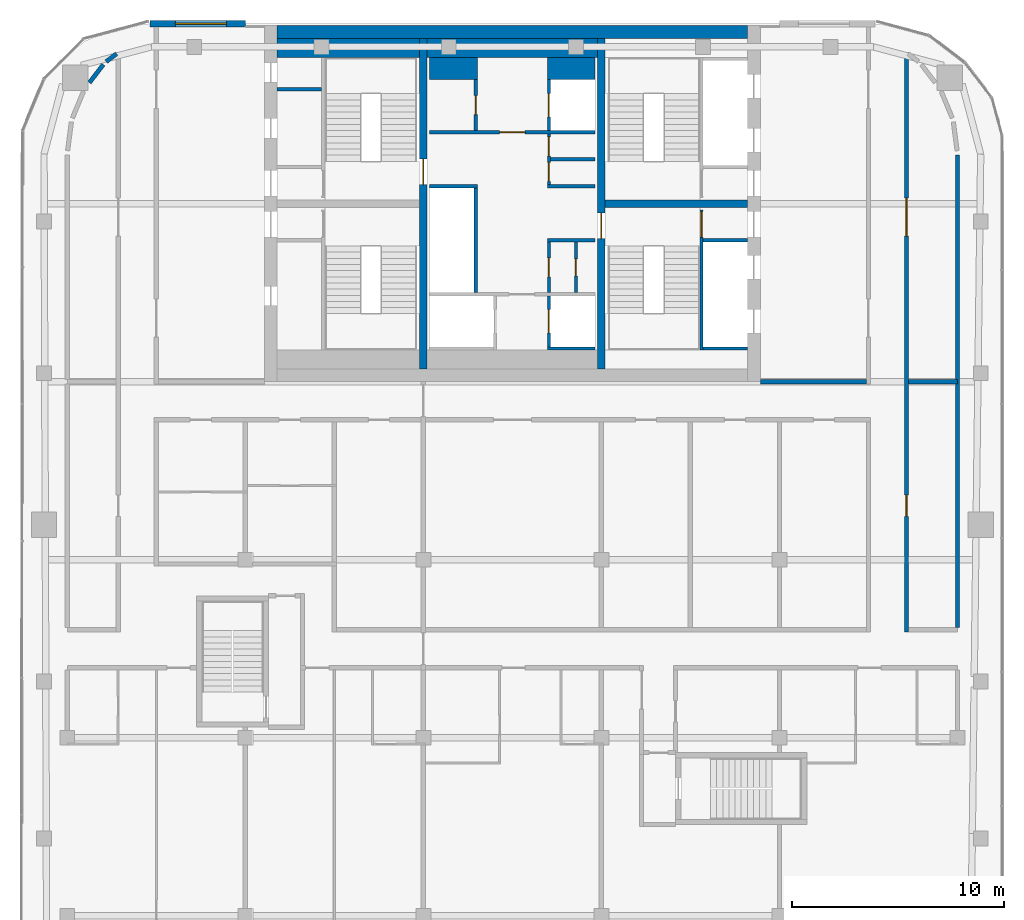
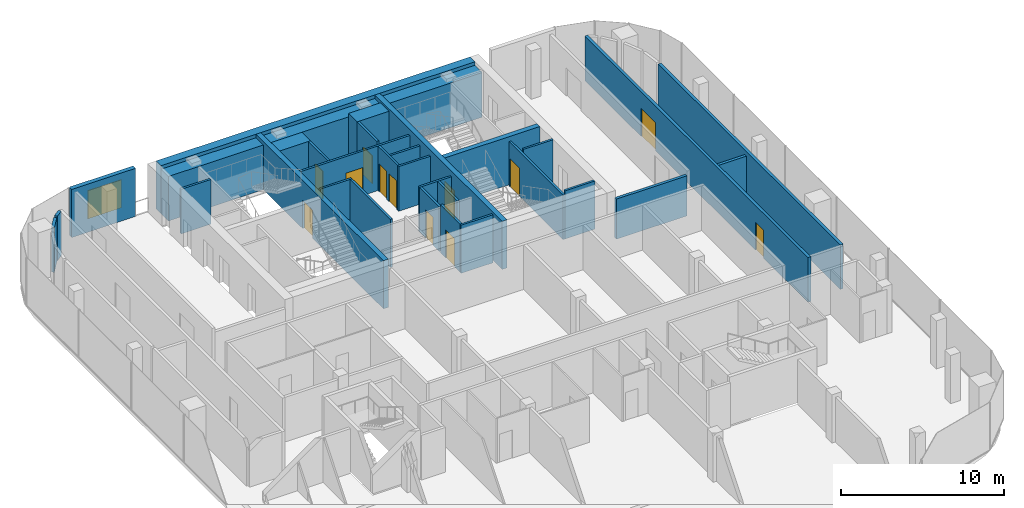
# One storey, part 16 of 19: 31 walls, 13 doors, 1 window, 14 openings.
"""IFC4 building model written with IfcOpenShell, lengths in metres."""

from ifc_helpers import new_model, si_unit, direction, frame, frame_2d, origin, place, context, subcontext, project, spatial, rectangle, extrude, material, layer, layer_set, type_object, element, fill, save


model = new_model("IFC4")

# Units and contexts
model_context = context("Model", 3, precision=1e-05, world=origin(), true_north=direction((0.0, 1.0)))
body_context = subcontext(model_context, "Body", "Model", "MODEL_VIEW")
ifc_project = project(units=[si_unit("LENGTHUNIT", "METRE"), si_unit("AREAUNIT", "SQUARE_METRE"), si_unit("VOLUMEUNIT", "CUBIC_METRE"), si_unit("PLANEANGLEUNIT", "RADIAN"), si_unit("MASSUNIT", "GRAM", prefix="KILO")], contexts=[model_context])

# Site, building, storey
site_placement = place(None, origin())
site = spatial("IfcSite", under=ifc_project, at=site_placement, CompositionType="ELEMENT")
building_placement = place(site_placement, origin())
building = spatial("IfcBuilding", under=site, at=building_placement, Name="Marenta Gate Hotel Tower", CompositionType="ELEMENT")
storey_placement = place(building_placement, frame((0.0, 0.0, 274.10009765625)))
storey = spatial("IfcBuildingStorey", under=building, at=storey_placement, Name="L63", CompositionType="ELEMENT", Elevation=274.10009765625)

# Wall, opening, window
ifc_material_1 = material(Name="Concrete C40 board-marked", Category="concrete")
ifc_layer_1 = layer(ifc_material_1, 0.300048828125)
ifc_layer_set_1 = layer_set([ifc_layer_1], Name="Concrete C40 board-marked")
wall_type_1 = type_object("IfcWallType", Name="Board-marked concrete wall 300 mm", PredefinedType="NOTDEFINED", material=ifc_layer_set_1)
wall_1_placement = place(storey_placement, frame((-12.60009765625, 16.889892578125, 0.0), z_axis=(0.0, 0.0, 1.0), x_axis=(-1.0, 0.0, 0.0)))
wall_1 = element("IfcWall", 1, at=wall_1_placement, inside=storey, type_object=wall_type_1, Name="L63-CLD-N01", PredefinedType="NOTDEFINED", context=body_context, shape_type="SweptSolid", body=[
    extrude(rectangle(XDim=4.505859375, YDim=0.300048828125, at=frame_2d((2.2529296875, 0.0))), origin(), (0.0, 0.0, 1.0), 3.599853515625),
])
opening_1_placement = place(wall_1_placement, frame((0.89990234375, 0.0, 0.89990234375)))
opening_1 = element("IfcOpeningElement", 2, at=opening_1_placement, cuts=wall_1, Name="Opening W1", PredefinedType="OPENING", context=body_context, shape_type="SweptSolid", body=[
    extrude(rectangle(XDim=2.39990234375, YDim=2.10009765625, at=frame_2d((1.199951171875, 1.050048828125))), frame((0.0, 0.14990234375, 0.0), z_axis=(0.0, -1.0, 0.0), x_axis=(1.0, 0.0, 0.0)), (0.0, 0.0, 1.0), 0.300048828125),
])
ifc_material_2 = material(Name="Tinted insulated glass in bronze anodised frame", Category="glass")
window_type = type_object("IfcWindowType", Name="Window W1 2400x2100 bronze frame", PartitioningType="SINGLE_PANEL", PredefinedType="WINDOW", material=ifc_material_2)
window_placement = place(opening_1_placement, origin())
window = element("IfcWindow", 3, at=window_placement, inside=storey, type_object=window_type, Name="Window W1", OverallHeight=2.10009765625, OverallWidth=2.39990234375, PartitioningType="SINGLE_PANEL", PredefinedType="WINDOW", context=body_context, shape_type="SweptSolid", body=[
    extrude(rectangle(XDim=2.39990234375, YDim=2.10009765625, at=frame_2d((1.199951171875, 1.050048828125))), frame((0.0, 0.030029296875, 0.0), z_axis=(0.0, -1.0, 0.0), x_axis=(1.0, 0.0, 0.0)), (0.0, 0.0, 1.0), 0.06005859375),
])
fill(opening_1, window)

# Walls
ifc_material_3 = material(Name="Concrete blockwork", Category="masonry")
ifc_layer_2 = layer(ifc_material_3, 0.199951171875)
ifc_layer_set_2 = layer_set([ifc_layer_2], Name="Concrete blockwork")
wall_type_2 = type_object("IfcWallType", Name="Core boundary wall 200 REI 180", PredefinedType="PARTITIONING", material=ifc_layer_set_2)
wall_2_placement = place(storey_placement, frame((11.699951171875, 0.0, 0.0), z_axis=(0.0, 0.0, 1.0), x_axis=(1.0, 0.0, 0.0)))
element("IfcWall", 4, at=wall_2_placement, inside=storey, type_object=wall_type_2, Name="L63-CP-EW-ES", PredefinedType="PARTITIONING", context=body_context, shape_type="SweptSolid", body=[
    extrude(rectangle(XDim=5.0, YDim=0.199951171875, at=frame_2d((2.5, 0.0))), origin(), (0.0, 0.0, 1.0), 3.0),
])
ifc_material_4 = material(Name="Concrete C40", Category="concrete")
ifc_layer_3 = layer(ifc_material_4, 0.89990234375)
ifc_layer_set_3 = layer_set([ifc_layer_3], Name="Concrete C40")
wall_type_3 = type_object("IfcWallType", Name="Core lining wall 900 REI 180", PredefinedType="PARTITIONING", material=ifc_layer_set_3)
wall_3_placement = place(storey_placement, frame((-11.10009765625, 15.75, 0.0), z_axis=(0.0, 0.0, 1.0), x_axis=(1.0, 0.0, 0.0)))
element("IfcWall", 5, at=wall_3_placement, inside=storey, type_object=wall_type_3, Name="L63-CP-LN-N", PredefinedType="PARTITIONING", context=body_context, shape_type="SweptSolid", body=[
    extrude(rectangle(XDim=22.2001953125, YDim=0.89990234375, at=frame_2d((11.10009765625, 0.0))), origin(), (0.0, 0.0, 1.0), 3.33984375),
])

# Wall, opening, door
ifc_material_5 = material(Name="Concrete blockwork", Category="masonry")
ifc_layer_4 = layer(ifc_material_5, 0.14990234375)
ifc_layer_set_4 = layer_set([ifc_layer_4], Name="Concrete blockwork")
wall_type_4 = type_object("IfcWallType", Name="Core lobby partition 150 REI 180", PredefinedType="PARTITIONING", material=ifc_layer_set_4)
wall_4_placement = place(storey_placement, frame((-3.89990234375, 11.77490234375, 0.0), z_axis=(0.0, 0.0, 1.0), x_axis=(1.0, 0.0, 0.0)))
wall_4 = element("IfcWall", 6, at=wall_4_placement, inside=storey, type_object=wall_type_4, Name="L63-CP-CW-N", PredefinedType="PARTITIONING", context=body_context, shape_type="SweptSolid", body=[
    extrude(rectangle(XDim=7.7998046875, YDim=0.14990234375, at=frame_2d((3.89990234375, 0.0))), origin(), (0.0, 0.0, 1.0), 3.33984375),
])
opening_2_placement = place(wall_4_placement, frame((3.300048828125, 0.0, 0.0)))
opening_2 = element("IfcOpeningElement", 7, at=opening_2_placement, cuts=wall_4, Name="Opening FD-FFN", PredefinedType="OPENING", context=body_context, shape_type="SweptSolid", body=[
    extrude(rectangle(XDim=1.199951171875, YDim=2.10009765625, at=frame_2d((0.60009765625, 1.050048828125))), frame((0.0, 0.074951171875, 0.0), z_axis=(0.0, -1.0, 0.0), x_axis=(1.0, 0.0, 0.0)), (0.0, 0.0, 1.0), 0.14990234375),
])
ifc_material_6 = material(Name="Steel", Category="steel")
door_type_1 = type_object("IfcDoorType", Name="Core lobby door 1200x2100 FD60", OperationType="SINGLE_SWING_LEFT", PredefinedType="DOOR", material=ifc_material_6)
door_1_placement = place(opening_2_placement, origin())
door_1 = element("IfcDoor", 8, at=door_1_placement, inside=storey, type_object=door_type_1, Name="FD-FFN", OperationType="SINGLE_SWING_LEFT", OverallHeight=2.10009765625, OverallWidth=1.199951171875, PredefinedType="DOOR", context=body_context, shape_type="SweptSolid", body=[
    extrude(rectangle(XDim=1.199951171875, YDim=2.10009765625, at=frame_2d((0.60009765625, 1.050048828125))), frame((0.0, 0.02490234375, 0.0), z_axis=(0.0, -1.0, 0.0), x_axis=(1.0, 0.0, 0.0)), (0.0, 0.0, 1.0), 0.050048828125),
])
fill(opening_2, door_1)

# Walls
ifc_material_7 = material(Name="Concrete blockwork", Category="masonry")
ifc_layer_5 = layer(ifc_material_7, 1.050048828125)
ifc_layer_set_5 = layer_set([ifc_layer_5], Name="Concrete blockwork")
wall_type_5 = type_object("IfcWallType", Name="Core room partition 1050 REI 180", PredefinedType="PARTITIONING", material=ifc_layer_set_5)
wall_5_placement = place(storey_placement, frame((-3.89990234375, 14.77490234375, 0.0), z_axis=(0.0, 0.0, 1.0), x_axis=(1.0, 0.0, 0.0)))
element("IfcWall", 9, at=wall_5_placement, inside=storey, type_object=wall_type_5, Name="L63-CP-CW-W-riser-N", PredefinedType="PARTITIONING", context=body_context, shape_type="SweptSolid", body=[
    extrude(rectangle(XDim=2.25, YDim=1.050048828125, at=frame_2d((1.125, 0.0))), origin(), (0.0, 0.0, 1.0), 3.33984375),
])
ifc_material_8 = material(Name="Concrete blockwork", Category="masonry")
ifc_layer_6 = layer(ifc_material_8, 0.14990234375)
ifc_layer_set_6 = layer_set([ifc_layer_6], Name="Concrete blockwork")
wall_type_6 = type_object("IfcWallType", Name="Core room partition 150 REI 180", PredefinedType="PARTITIONING", material=ifc_layer_set_6)
wall_6_placement = place(storey_placement, frame((-11.10009765625, 13.800048828125, 0.0), z_axis=(0.0, 0.0, 1.0), x_axis=(1.0, 0.0, 0.0)))
element("IfcWall", 10, at=wall_6_placement, inside=storey, type_object=wall_type_6, Name="L63-CP-RW-WN-1", PredefinedType="PARTITIONING", context=body_context, shape_type="SweptSolid", body=[
    extrude(rectangle(XDim=2.10009765625, YDim=0.14990234375, at=frame_2d((1.050048828125, 0.0))), origin(), (0.0, 0.0, 1.0), 3.33984375),
])

# Wall, opening, door
wall_7_placement = place(storey_placement, frame((-1.72509765625, 11.85009765625, 0.0), z_axis=(0.0, 0.0, 1.0), x_axis=(0.0, 1.0, 0.0)))
wall_7 = element("IfcWall", 11, at=wall_7_placement, inside=storey, type_object=wall_type_6, Name="L63-CP-CW-W-riser-front", PredefinedType="PARTITIONING", context=body_context, shape_type="SweptSolid", body=[
    extrude(rectangle(XDim=2.39990234375, YDim=0.14990234375, at=frame_2d((1.199951171875, 0.0))), origin(), (0.0, 0.0, 1.0), 3.33984375),
])
opening_3_placement = place(wall_7_placement, frame((0.75, 0.0, 0.0)))
opening_3 = element("IfcOpeningElement", 12, at=opening_3_placement, cuts=wall_7, Name="Opening RD-CRISER", PredefinedType="OPENING", context=body_context, shape_type="SweptSolid", body=[
    extrude(rectangle(XDim=0.89990234375, YDim=2.10009765625, at=frame_2d((0.449951171875, 1.050048828125))), frame((0.0, 0.074951171875, 0.0), z_axis=(0.0, -1.0, 0.0), x_axis=(1.0, 0.0, 0.0)), (0.0, 0.0, 1.0), 0.14990234375),
])
ifc_material_9 = material(Name="Steel", Category="steel")
door_type_2 = type_object("IfcDoorType", Name="Core riser door 900x2100 FD60", OperationType="SINGLE_SWING_LEFT", PredefinedType="DOOR", material=ifc_material_9)
door_2_placement = place(opening_3_placement, origin())
door_2 = element("IfcDoor", 13, at=door_2_placement, inside=storey, type_object=door_type_2, Name="RD-CRISER", OperationType="SINGLE_SWING_LEFT", OverallHeight=2.10009765625, OverallWidth=0.89990234375, PredefinedType="DOOR", context=body_context, shape_type="SweptSolid", body=[
    extrude(rectangle(XDim=0.89990234375, YDim=2.10009765625, at=frame_2d((0.449951171875, 1.050048828125))), frame((0.0, 0.02490234375, 0.0), z_axis=(0.0, -1.0, 0.0), x_axis=(1.0, 0.0, 0.0)), (0.0, 0.0, 1.0), 0.050048828125),
])
fill(opening_3, door_2)

# Walls
for number, where, z_axis, x_axis, name in (
    (14, (1.64990234375, 6.675048828125, 0.0), (0.0, 0.0, 1.0), (1.0, 0.0, 0.0), "L63-CP-CE-sep1"),
    (15, (1.64990234375, 9.22509765625, 0.0), (0.0, 0.0, 1.0), (1.0, 0.0, 0.0), "L63-CP-CE-sep2"),
):
    element("IfcWall", number, at=place(storey_placement, frame(where, z_axis=z_axis, x_axis=x_axis)), inside=storey, type_object=wall_type_6, Name=name, PredefinedType="PARTITIONING", context=body_context, shape_type="SweptSolid", body=[
        extrude(rectangle(XDim=2.25, YDim=0.14990234375, at=frame_2d((1.125, 0.0))), origin(), (0.0, 0.0, 1.0), 3.33984375),
    ])

# Wall, opening, door
wall_8_placement = place(storey_placement, frame((1.72509765625, 4.199951171875, 0.0), z_axis=(0.0, 0.0, 1.0), x_axis=(0.0, 1.0, 0.0)))
wall_8 = element("IfcWall", 16, at=wall_8_placement, inside=storey, type_object=wall_type_6, Name="L63-CP-CE-front-1", PredefinedType="PARTITIONING", context=body_context, shape_type="SweptSolid", body=[
    extrude(rectangle(XDim=2.400146484375, YDim=0.14990234375, at=frame_2d((1.2001953125, 0.0))), origin(), (0.0, 0.0, 1.0), 3.33984375),
])
opening_4_placement = place(wall_8_placement, frame((0.75, 0.0, 0.0)))
opening_4 = element("IfcOpeningElement", 17, at=opening_4_placement, cuts=wall_8, Name="Opening RD-CE-1a", PredefinedType="OPENING", context=body_context, shape_type="SweptSolid", body=[
    extrude(rectangle(XDim=0.89990234375, YDim=2.10009765625, at=frame_2d((0.449951171875, 1.050048828125))), frame((0.0, 0.074951171875, 0.0), z_axis=(0.0, -1.0, 0.0), x_axis=(1.0, 0.0, 0.0)), (0.0, 0.0, 1.0), 0.14990234375),
])
ifc_material_10 = material(Name="Steel", Category="steel")
door_type_3 = type_object("IfcDoorType", Name="Core service room door 900x2100 FD30S", OperationType="SINGLE_SWING_LEFT", PredefinedType="DOOR", material=ifc_material_10)
door_3_placement = place(opening_4_placement, origin())
door_3 = element("IfcDoor", 18, at=door_3_placement, inside=storey, type_object=door_type_3, Name="RD-CE-1a", OperationType="SINGLE_SWING_LEFT", OverallHeight=2.10009765625, OverallWidth=0.89990234375, PredefinedType="DOOR", context=body_context, shape_type="SweptSolid", body=[
    extrude(rectangle(XDim=0.89990234375, YDim=2.10009765625, at=frame_2d((0.449951171875, 1.050048828125))), frame((0.0, 0.02490234375, 0.0), z_axis=(0.0, -1.0, 0.0), x_axis=(1.0, 0.0, 0.0)), (0.0, 0.0, 1.0), 0.050048828125),
])
fill(opening_4, door_3)

# Wall, openings, doors
wall_9_placement = place(storey_placement, frame((1.72509765625, 9.300048828125, 0.0), z_axis=(0.0, 0.0, 1.0), x_axis=(0.0, 1.0, 0.0)))
wall_9 = element("IfcWall", 19, at=wall_9_placement, inside=storey, type_object=wall_type_6, Name="L63-CP-CE-front-2", PredefinedType="PARTITIONING", context=body_context, shape_type="SweptSolid", body=[
    extrude(rectangle(XDim=2.39990234375, YDim=0.14990234375, at=frame_2d((1.199951171875, 0.0))), origin(), (0.0, 0.0, 1.0), 3.33984375),
])
opening_5_placement = place(wall_9_placement, frame((0.14990234375, 0.0, 0.0)))
opening_5 = element("IfcOpeningElement", 20, at=opening_5_placement, cuts=wall_9, Name="Opening RD-CE-2a", PredefinedType="OPENING", context=body_context, shape_type="SweptSolid", body=[
    extrude(rectangle(XDim=0.89990234375, YDim=2.10009765625, at=frame_2d((0.449951171875, 1.050048828125))), frame((0.0, 0.074951171875, 0.0), z_axis=(0.0, -1.0, 0.0), x_axis=(1.0, 0.0, 0.0)), (0.0, 0.0, 1.0), 0.14990234375),
])
opening_6_placement = place(wall_9_placement, frame((1.35009765625, 0.0, 0.0)))
opening_6 = element("IfcOpeningElement", 21, at=opening_6_placement, cuts=wall_9, Name="Opening RD-CE-2b-B", PredefinedType="OPENING", context=body_context, shape_type="SweptSolid", body=[
    extrude(rectangle(XDim=0.89990234375, YDim=2.10009765625, at=frame_2d((0.449951171875, 1.050048828125))), frame((0.0, 0.074951171875, 0.0), z_axis=(0.0, -1.0, 0.0), x_axis=(1.0, 0.0, 0.0)), (0.0, 0.0, 1.0), 0.14990234375),
])
door_4_placement = place(opening_5_placement, origin())
door_4 = element("IfcDoor", 22, at=door_4_placement, inside=storey, type_object=door_type_3, Name="RD-CE-2a", OperationType="SINGLE_SWING_LEFT", OverallHeight=2.10009765625, OverallWidth=0.89990234375, PredefinedType="DOOR", context=body_context, shape_type="SweptSolid", body=[
    extrude(rectangle(XDim=0.89990234375, YDim=2.10009765625, at=frame_2d((0.449951171875, 1.050048828125))), frame((0.0, 0.02490234375, 0.0), z_axis=(0.0, -1.0, 0.0), x_axis=(1.0, 0.0, 0.0)), (0.0, 0.0, 1.0), 0.050048828125),
])
fill(opening_5, door_4)
door_5_placement = place(opening_6_placement, origin())
door_5 = element("IfcDoor", 23, at=door_5_placement, inside=storey, type_object=door_type_3, Name="RD-CE-2b-B", OperationType="SINGLE_SWING_LEFT", OverallHeight=2.10009765625, OverallWidth=0.89990234375, PredefinedType="DOOR", context=body_context, shape_type="SweptSolid", body=[
    extrude(rectangle(XDim=0.89990234375, YDim=2.10009765625, at=frame_2d((0.449951171875, 1.050048828125))), frame((0.0, 0.02490234375, 0.0), z_axis=(0.0, -1.0, 0.0), x_axis=(1.0, 0.0, 0.0)), (0.0, 0.0, 1.0), 0.050048828125),
])
fill(opening_6, door_5)

# Wall, opening, door
wall_10_placement = place(storey_placement, frame((3.0, 4.199951171875, 0.0), z_axis=(0.0, 0.0, 1.0), x_axis=(0.0, 1.0, 0.0)))
wall_10 = element("IfcWall", 24, at=wall_10_placement, inside=storey, type_object=wall_type_6, Name="L63-CP-CE-RW-1", PredefinedType="PARTITIONING", context=body_context, shape_type="SweptSolid", body=[
    extrude(rectangle(XDim=2.400146484375, YDim=0.14990234375, at=frame_2d((1.2001953125, 0.0))), origin(), (0.0, 0.0, 1.0), 3.33984375),
])
opening_7_placement = place(wall_10_placement, frame((0.800048828125, 0.0, 0.0)))
opening_7 = element("IfcOpeningElement", 25, at=opening_7_placement, cuts=wall_10, Name="Opening RD-CE-1b-A", PredefinedType="OPENING", context=body_context, shape_type="SweptSolid", body=[
    extrude(rectangle(XDim=0.800048828125, YDim=2.10009765625, at=frame_2d((0.39990234375, 1.050048828125))), frame((0.0, 0.074951171875, 0.0), z_axis=(0.0, -1.0, 0.0), x_axis=(1.0, 0.0, 0.0)), (0.0, 0.0, 1.0), 0.14990234375),
])
ifc_material_11 = material(Name="Steel", Category="steel")
door_type_4 = type_object("IfcDoorType", Name="Core riser door 800x2100 FD60", OperationType="SINGLE_SWING_LEFT", PredefinedType="DOOR", material=ifc_material_11)
door_6_placement = place(opening_7_placement, origin())
door_6 = element("IfcDoor", 26, at=door_6_placement, inside=storey, type_object=door_type_4, Name="RD-CE-1b-A", OperationType="SINGLE_SWING_LEFT", OverallHeight=2.10009765625, OverallWidth=0.800048828125, PredefinedType="DOOR", context=body_context, shape_type="SweptSolid", body=[
    extrude(rectangle(XDim=0.800048828125, YDim=2.10009765625, at=frame_2d((0.39990234375, 1.050048828125))), frame((0.0, 0.02490234375, 0.0), z_axis=(0.0, -1.0, 0.0), x_axis=(1.0, 0.0, 0.0)), (0.0, 0.0, 1.0), 0.050048828125),
])
fill(opening_7, door_6)

# Walls
wall_11_placement = place(storey_placement, frame((1.800048828125, 10.5, 0.0), z_axis=(0.0, 0.0, 1.0), x_axis=(1.0, 0.0, 0.0)))
element("IfcWall", 27, at=wall_11_placement, inside=storey, type_object=wall_type_6, Name="L63-CP-CE-RW-2", PredefinedType="PARTITIONING", context=body_context, shape_type="SweptSolid", body=[
    extrude(rectangle(XDim=2.099853515625, YDim=0.14990234375, at=frame_2d((1.0498046875, 0.0))), origin(), (0.0, 0.0, 1.0), 3.33984375),
])
ifc_material_12 = material(Name="Concrete C40", Category="concrete")
ifc_layer_7 = layer(ifc_material_12, 1.050048828125)
ifc_layer_set_7 = layer_set([ifc_layer_7], Name="Concrete C40")
wall_type_7 = type_object("IfcWallType", Name="Core shaft wall 1050 REI 180", PredefinedType="SHEAR", material=ifc_layer_set_7)
wall_12_placement = place(storey_placement, frame((1.64990234375, 14.77490234375, 0.0), z_axis=(0.0, 0.0, 1.0), x_axis=(1.0, 0.0, 0.0)))
element("IfcWall", 28, at=wall_12_placement, inside=storey, type_object=wall_type_7, Name="L63-SHF-CE-N-top", PredefinedType="SHEAR", context=body_context, shape_type="SweptSolid", body=[
    extrude(rectangle(XDim=2.25, YDim=1.050048828125, at=frame_2d((1.125, 0.0))), origin(), (0.0, 0.0, 1.0), 3.599853515625),
])
ifc_material_13 = material(Name="Concrete C40", Category="concrete")
ifc_layer_8 = layer(ifc_material_13, 0.14990234375)
ifc_layer_set_8 = layer_set([ifc_layer_8], Name="Concrete C40")
wall_type_8 = type_object("IfcWallType", Name="Core shaft wall 150 REI 180", PredefinedType="SHEAR", material=ifc_layer_set_8)
for number, where, z_axis, x_axis, name in (
    (29, (9.0, 6.675048828125, 0.0), (0.0, 0.0, 1.0), (1.0, 0.0, 0.0), "L63-SHF-SW-ES-2"),
    (30, (9.0, 1.574951171875, 0.0), (0.0, 0.0, 1.0), (1.0, 0.0, 0.0), "L63-SHF-SW-ES-5"),
):
    element("IfcWall", number, at=place(storey_placement, frame(where, z_axis=z_axis, x_axis=x_axis)), inside=storey, type_object=wall_type_8, Name=name, PredefinedType="SHEAR", context=body_context, shape_type="SweptSolid", body=[
        extrude(rectangle(XDim=2.10009765625, YDim=0.14990234375, at=frame_2d((1.050048828125, 0.0))), origin(), (0.0, 0.0, 1.0), 3.599853515625),
    ])
wall_13_placement = place(storey_placement, frame((-1.72509765625, 4.199951171875, 0.0), z_axis=(0.0, 0.0, 1.0), x_axis=(0.0, 1.0, 0.0)))
element("IfcWall", 31, at=wall_13_placement, inside=storey, type_object=wall_type_8, Name="L63-SHF-CW-W-front", PredefinedType="SHEAR", context=body_context, shape_type="SweptSolid", body=[
    extrude(rectangle(XDim=4.949951171875, YDim=0.14990234375, at=frame_2d((2.47509765625, 0.0))), origin(), (0.0, 0.0, 1.0), 3.599853515625),
])
wall_14_placement = place(storey_placement, frame((-3.89990234375, 9.22509765625, 0.0), z_axis=(0.0, 0.0, 1.0), x_axis=(1.0, 0.0, 0.0)))
element("IfcWall", 32, at=wall_14_placement, inside=storey, type_object=wall_type_8, Name="L63-SHF-CW-W-sep", PredefinedType="SHEAR", context=body_context, shape_type="SweptSolid", body=[
    extrude(rectangle(XDim=2.25, YDim=0.14990234375, at=frame_2d((1.125, 0.0))), origin(), (0.0, 0.0, 1.0), 3.599853515625),
])

# Wall, opening, door
wall_15_placement = place(storey_placement, frame((1.72509765625, 1.64990234375, 0.0), z_axis=(0.0, 0.0, 1.0), x_axis=(0.0, 1.0, 0.0)))
wall_15 = element("IfcWall", 33, at=wall_15_placement, inside=storey, type_object=wall_type_8, Name="L63-SHF-CE-S-ls", PredefinedType="SHEAR", context=body_context, shape_type="SweptSolid", body=[
    extrude(rectangle(XDim=2.400146484375, YDim=0.14990234375, at=frame_2d((1.2001953125, 0.0))), origin(), (0.0, 0.0, 1.0), 3.599853515625),
])
opening_8_placement = place(wall_15_placement, frame((0.64990234375, 0.0, 0.0)))
opening_8 = element("IfcOpeningElement", 34, at=opening_8_placement, cuts=wall_15, Name="Opening LD-SV1", PredefinedType="OPENING", context=body_context, shape_type="SweptSolid", body=[
    extrude(rectangle(XDim=1.10009765625, YDim=2.10009765625, at=frame_2d((0.550048828125, 1.050048828125))), frame((0.0, 0.074951171875, 0.0), z_axis=(0.0, -1.0, 0.0), x_axis=(1.0, 0.0, 0.0)), (0.0, 0.0, 1.0), 0.14990234375),
])
ifc_material_14 = material(Name="Steel", Category="steel")
door_type_5 = type_object("IfcDoorType", Name="Core lift landing door 1100x2100 E 60", OperationType="SLIDING_TO_LEFT", PredefinedType="DOOR", material=ifc_material_14)
door_7_placement = place(opening_8_placement, origin())
door_7 = element("IfcDoor", 35, at=door_7_placement, inside=storey, type_object=door_type_5, Name="LD-SV1", OperationType="SLIDING_TO_LEFT", OverallHeight=2.10009765625, OverallWidth=1.10009765625, PredefinedType="DOOR", context=body_context, shape_type="SweptSolid", body=[
    extrude(rectangle(XDim=1.10009765625, YDim=2.10009765625, at=frame_2d((0.550048828125, 1.050048828125))), frame((0.0, 0.02490234375, 0.0), z_axis=(0.0, -1.0, 0.0), x_axis=(1.0, 0.0, 0.0)), (0.0, 0.0, 1.0), 0.050048828125),
])
fill(opening_8, door_7)

# Wall
wall_16_placement = place(storey_placement, frame((1.64990234375, 1.574951171875, 0.0), z_axis=(0.0, 0.0, 1.0), x_axis=(1.0, 0.0, 0.0)))
element("IfcWall", 36, at=wall_16_placement, inside=storey, type_object=wall_type_8, Name="L63-SHF-CE-S-bot", PredefinedType="SHEAR", context=body_context, shape_type="SweptSolid", body=[
    extrude(rectangle(XDim=2.25, YDim=0.14990234375, at=frame_2d((1.125, 0.0))), origin(), (0.0, 0.0, 1.0), 3.599853515625),
])

# Wall, opening, door
wall_17_placement = place(storey_placement, frame((1.72509765625, 11.85009765625, 0.0), z_axis=(0.0, 0.0, 1.0), x_axis=(0.0, 1.0, 0.0)))
wall_17 = element("IfcWall", 37, at=wall_17_placement, inside=storey, type_object=wall_type_8, Name="L63-SHF-CE-N-front2", PredefinedType="SHEAR", context=body_context, shape_type="SweptSolid", body=[
    extrude(rectangle(XDim=2.39990234375, YDim=0.14990234375, at=frame_2d((1.199951171875, 0.0))), origin(), (0.0, 0.0, 1.0), 3.599853515625),
])
opening_9_placement = place(wall_17_placement, frame((0.64990234375, 0.0, 0.0)))
opening_9 = element("IfcOpeningElement", 38, at=opening_9_placement, cuts=wall_17, Name="Opening LD-FF2", PredefinedType="OPENING", context=body_context, shape_type="SweptSolid", body=[
    extrude(rectangle(XDim=1.10009765625, YDim=2.10009765625, at=frame_2d((0.550048828125, 1.050048828125))), frame((0.0, 0.074951171875, 0.0), z_axis=(0.0, -1.0, 0.0), x_axis=(1.0, 0.0, 0.0)), (0.0, 0.0, 1.0), 0.14990234375),
])
door_8_placement = place(opening_9_placement, origin())
door_8 = element("IfcDoor", 39, at=door_8_placement, inside=storey, type_object=door_type_5, Name="LD-FF2", OperationType="SLIDING_TO_LEFT", OverallHeight=2.10009765625, OverallWidth=1.10009765625, PredefinedType="DOOR", context=body_context, shape_type="SweptSolid", body=[
    extrude(rectangle(XDim=1.10009765625, YDim=2.10009765625, at=frame_2d((0.550048828125, 1.050048828125))), frame((0.0, 0.02490234375, 0.0), z_axis=(0.0, -1.0, 0.0), x_axis=(1.0, 0.0, 0.0)), (0.0, 0.0, 1.0), 0.050048828125),
])
fill(opening_9, door_8)

ifc_material_15 = material(Name="Concrete C40", Category="concrete")
ifc_layer_9 = layer(ifc_material_15, 0.14990234375)
ifc_layer_set_9 = layer_set([ifc_layer_9], Name="Concrete C40")
wall_type_9 = type_object("IfcWallType", Name="Core stair enclosure wall 150 REI 180", PredefinedType="SHEAR", material=ifc_layer_set_9)
wall_18_placement = place(storey_placement, frame((8.925048828125, 1.5, 0.0), z_axis=(0.0, 0.0, 1.0), x_axis=(0.0, 1.0, 0.0)))
wall_18 = element("IfcWall", 40, at=wall_18_placement, inside=storey, type_object=wall_type_9, Name="L63-SHF-SW-ES-3", PredefinedType="SHEAR", context=body_context, shape_type="SweptSolid", body=[
    extrude(rectangle(XDim=6.60009765625, YDim=0.14990234375, at=frame_2d((3.300048828125, 0.0))), origin(), (0.0, 0.0, 1.0), 3.33984375),
])
opening_10_placement = place(wall_18_placement, frame((5.324951171875, 0.0, 0.0)))
opening_10 = element("IfcOpeningElement", 41, at=opening_10_placement, cuts=wall_18, Name="Opening SD-ES", PredefinedType="OPENING", context=body_context, shape_type="SweptSolid", body=[
    extrude(rectangle(XDim=1.199951171875, YDim=2.10009765625, at=frame_2d((0.60009765625, 1.050048828125))), frame((0.0, 0.074951171875, 0.0), z_axis=(0.0, -1.0, 0.0), x_axis=(1.0, 0.0, 0.0)), (0.0, 0.0, 1.0), 0.14990234375),
])
ifc_material_16 = material(Name="Steel", Category="steel")
door_type_6 = type_object("IfcDoorType", Name="Core stair door 1200x2100 FD60", OperationType="SINGLE_SWING_LEFT", PredefinedType="DOOR", material=ifc_material_16)
door_9_placement = place(opening_10_placement, origin())
door_9 = element("IfcDoor", 42, at=door_9_placement, inside=storey, type_object=door_type_6, Name="SD-ES", OperationType="SINGLE_SWING_LEFT", OverallHeight=2.10009765625, OverallWidth=1.199951171875, PredefinedType="DOOR", context=body_context, shape_type="SweptSolid", body=[
    extrude(rectangle(XDim=1.199951171875, YDim=2.10009765625, at=frame_2d((0.60009765625, 1.050048828125))), frame((0.0, 0.02490234375, 0.0), z_axis=(0.0, -1.0, 0.0), x_axis=(1.0, 0.0, 0.0)), (0.0, 0.0, 1.0), 0.050048828125),
])
fill(opening_10, door_9)

# Wall
ifc_material_17 = material(Name="Concrete C50", Category="concrete")
ifc_layer_10 = layer(ifc_material_17, 0.60009765625)
ifc_layer_set_10 = layer_set([ifc_layer_10], Name="Concrete C50")
wall_type_10 = type_object("IfcWallType", Name="Core wall 600 C50", PredefinedType="SHEAR", material=ifc_layer_set_10)
wall_19_placement = place(storey_placement, frame((-11.10009765625, 16.5, 0.0), z_axis=(0.0, 0.0, 1.0), x_axis=(1.0, 0.0, 0.0)))
element("IfcWall", 43, at=wall_19_placement, inside=storey, type_object=wall_type_10, Name="L63-CORE-N", PredefinedType="SHEAR", context=body_context, shape_type="SweptSolid", body=[
    extrude(rectangle(XDim=22.2001953125, YDim=0.60009765625, at=frame_2d((11.10009765625, 0.0))), origin(), (0.0, 0.0, 1.0), 3.599853515625),
])

# Wall, opening, door
ifc_material_18 = material(Name="Concrete C50", Category="concrete")
ifc_layer_11 = layer(ifc_material_18, 0.35009765625)
ifc_layer_set_11 = layer_set([ifc_layer_11], Name="Concrete C50")
wall_type_11 = type_object("IfcWallType", Name="Core web 350 C50", PredefinedType="SHEAR", material=ifc_layer_set_11)
wall_20_placement = place(storey_placement, frame((-4.199951171875, 0.60009765625, 0.0), z_axis=(0.0, 0.0, 1.0), x_axis=(0.0, 1.0, 0.0)))
wall_20 = element("IfcWall", 44, at=wall_20_placement, inside=storey, type_object=wall_type_11, Name="L63-CORE-W1", PredefinedType="SHEAR", context=body_context, shape_type="SweptSolid", body=[
    extrude(rectangle(XDim=15.599853515625, YDim=0.35009765625, at=frame_2d((7.7998046875, 0.0))), origin(), (0.0, 0.0, 1.0), 3.599853515625),
])
opening_11_placement = place(wall_20_placement, frame((8.699951171875, 0.0, 0.0)))
opening_11 = element("IfcOpeningElement", 45, at=opening_11_placement, cuts=wall_20, Name="Opening WD-W", PredefinedType="OPENING", context=body_context, shape_type="SweptSolid", body=[
    extrude(rectangle(XDim=1.199951171875, YDim=2.10009765625, at=frame_2d((0.60009765625, 1.050048828125))), frame((0.0, 0.175048828125, 0.0), z_axis=(0.0, -1.0, 0.0), x_axis=(1.0, 0.0, 0.0)), (0.0, 0.0, 1.0), 0.35009765625),
])
door_10_placement = place(opening_11_placement, origin())
door_10 = element("IfcDoor", 46, at=door_10_placement, inside=storey, type_object=door_type_6, Name="WD-W", OperationType="SINGLE_SWING_LEFT", OverallHeight=2.10009765625, OverallWidth=1.199951171875, PredefinedType="DOOR", context=body_context, shape_type="SweptSolid", body=[
    extrude(rectangle(XDim=1.199951171875, YDim=2.10009765625, at=frame_2d((0.60009765625, 1.050048828125))), frame((0.0, 0.02490234375, 0.0), z_axis=(0.0, -1.0, 0.0), x_axis=(1.0, 0.0, 0.0)), (0.0, 0.0, 1.0), 0.050048828125),
])
fill(opening_11, door_10)

wall_21_placement = place(storey_placement, frame((4.199951171875, 0.60009765625, 0.0), z_axis=(0.0, 0.0, 1.0), x_axis=(0.0, 1.0, 0.0)))
wall_21 = element("IfcWall", 47, at=wall_21_placement, inside=storey, type_object=wall_type_11, Name="L63-CORE-W2", PredefinedType="SHEAR", context=body_context, shape_type="SweptSolid", body=[
    extrude(rectangle(XDim=15.599853515625, YDim=0.35009765625, at=frame_2d((7.7998046875, 0.0))), origin(), (0.0, 0.0, 1.0), 3.599853515625),
])
opening_12_placement = place(wall_21_placement, frame((6.14990234375, 0.0, 0.0)))
opening_12 = element("IfcOpeningElement", 48, at=opening_12_placement, cuts=wall_21, Name="Opening WD-E", PredefinedType="OPENING", context=body_context, shape_type="SweptSolid", body=[
    extrude(rectangle(XDim=1.199951171875, YDim=2.10009765625, at=frame_2d((0.60009765625, 1.050048828125))), frame((0.0, 0.175048828125, 0.0), z_axis=(0.0, -1.0, 0.0), x_axis=(1.0, 0.0, 0.0)), (0.0, 0.0, 1.0), 0.35009765625),
])
door_11_placement = place(opening_12_placement, origin())
door_11 = element("IfcDoor", 49, at=door_11_placement, inside=storey, type_object=door_type_6, Name="WD-E", OperationType="SINGLE_SWING_LEFT", OverallHeight=2.10009765625, OverallWidth=1.199951171875, PredefinedType="DOOR", context=body_context, shape_type="SweptSolid", body=[
    extrude(rectangle(XDim=1.199951171875, YDim=2.10009765625, at=frame_2d((0.60009765625, 1.050048828125))), frame((0.0, 0.02490234375, 0.0), z_axis=(0.0, -1.0, 0.0), x_axis=(1.0, 0.0, 0.0)), (0.0, 0.0, 1.0), 0.050048828125),
])
fill(opening_12, door_11)

# Wall
wall_22_placement = place(storey_placement, frame((4.375, 8.39990234375, 0.0), z_axis=(0.0, 0.0, 1.0), x_axis=(1.0, 0.0, 0.0)))
element("IfcWall", 50, at=wall_22_placement, inside=storey, type_object=wall_type_11, Name="L63-CORE-W4", PredefinedType="SHEAR", context=body_context, shape_type="SweptSolid", body=[
    extrude(rectangle(XDim=6.72509765625, YDim=0.35009765625, at=frame_2d((3.362548828125, 0.0))), origin(), (0.0, 0.0, 1.0), 3.599853515625),
])

# Wall, openings, doors
ifc_material_19 = material(Name="Gypsum board on steel stud", Category="steel")
ifc_layer_12 = layer(ifc_material_19, 0.199951171875)
ifc_layer_set_12 = layer_set([ifc_layer_12], Name="Gypsum board on steel stud")
wall_type_12 = type_object("IfcWallType", Name="Room corridor wall 200 EI 60", PredefinedType="PARTITIONING", material=ifc_layer_set_12)
wall_23_placement = place(storey_placement, frame((18.60009765625, -11.800048828125, 0.0), z_axis=(0.0, 0.0, 1.0), x_axis=(0.0, 1.0, 0.0)))
wall_23 = element("IfcWall", 51, at=wall_23_placement, inside=storey, type_object=wall_type_12, Name="L63-PTN-W005", PredefinedType="PARTITIONING", context=body_context, shape_type="SweptSolid", body=[
    extrude(rectangle(XDim=27.3359375, YDim=0.199951171875, at=frame_2d((13.66796875, 0.0))), origin(), (0.0, 0.0, 1.0), 3.33984375),
])
opening_13_placement = place(wall_23_placement, frame((18.66796875, 0.0, 0.0)))
opening_13 = element("IfcOpeningElement", 52, at=opening_13_placement, cuts=wall_23, Name="Opening G23-10", PredefinedType="OPENING", context=body_context, shape_type="SweptSolid", body=[
    extrude(rectangle(XDim=1.800048828125, YDim=2.10009765625, at=frame_2d((0.89990234375, 1.050048828125))), frame((0.0, 0.10009765625, 0.0), z_axis=(0.0, -1.0, 0.0), x_axis=(1.0, 0.0, 0.0)), (0.0, 0.0, 1.0), 0.199951171875),
])
opening_14_placement = place(wall_23_placement, frame((5.449951171875, 0.0, 0.0)))
opening_14 = element("IfcOpeningElement", 53, at=opening_14_placement, cuts=wall_23, Name="Opening G23-28", PredefinedType="OPENING", context=body_context, shape_type="SweptSolid", body=[
    extrude(rectangle(XDim=1.0, YDim=2.10009765625, at=frame_2d((0.5, 1.050048828125))), frame((0.0, 0.10009765625, 0.0), z_axis=(0.0, -1.0, 0.0), x_axis=(1.0, 0.0, 0.0)), (0.0, 0.0, 1.0), 0.199951171875),
])
ifc_material_20 = material(Name="Timber door leaf", Category="wood")
door_type_7 = type_object("IfcDoorType", Name="Room amenity door 1000x2100 EI 30", OperationType="NOTDEFINED", PredefinedType="DOOR", material=ifc_material_20)
door_12_placement = place(opening_14_placement, origin())
door_12 = element("IfcDoor", 54, at=door_12_placement, inside=storey, type_object=door_type_7, Name="L63-PD-D028", OperationType="SINGLE_SWING_LEFT", OverallHeight=2.10009765625, OverallWidth=1.0, PredefinedType="DOOR", context=body_context, shape_type="SweptSolid", body=[
    extrude(rectangle(XDim=1.0, YDim=2.10009765625, at=frame_2d((0.5, 1.050048828125))), frame((0.0, 0.02490234375, 0.0), z_axis=(0.0, -1.0, 0.0), x_axis=(1.0, 0.0, 0.0)), (0.0, 0.0, 1.0), 0.050048828125),
])
fill(opening_14, door_12)
ifc_material_21 = material(Name="Timber door leaf", Category="wood")
door_type_8 = type_object("IfcDoorType", Name="Room amenity door 1800x2100 EI 30", OperationType="DOUBLE_DOOR_SINGLE_SWING", PredefinedType="DOOR", material=ifc_material_21)
door_13_placement = place(opening_13_placement, origin())
door_13 = element("IfcDoor", 55, at=door_13_placement, inside=storey, type_object=door_type_8, Name="L63-PD-D010", OperationType="DOUBLE_DOOR_SINGLE_SWING", OverallHeight=2.10009765625, OverallWidth=1.800048828125, PredefinedType="DOOR", context=body_context, shape_type="SweptSolid", body=[
    extrude(rectangle(XDim=1.800048828125, YDim=2.10009765625, at=frame_2d((0.89990234375, 1.050048828125))), frame((0.0, 0.02490234375, 0.0), z_axis=(0.0, -1.0, 0.0), x_axis=(1.0, 0.0, 0.0)), (0.0, 0.0, 1.0), 0.050048828125),
])
fill(opening_13, door_13)

# Walls
wall_24_placement = place(storey_placement, frame((-19.166015625, 15.10302734375, 0.0), z_axis=(0.0, 0.0, 1.0), x_axis=(0.794663000987, 0.607050833837, 0.0)))
element("IfcWall", 56, at=wall_24_placement, inside=storey, type_object=wall_type_12, Name="L63-PTN-W059", PredefinedType="PARTITIONING", context=body_context, shape_type="SweptSolid", body=[
    extrude(rectangle(XDim=0.61279296875, YDim=0.199951171875, at=frame_2d((0.306396484375, 0.0))), origin(), (0.0, 0.0, 1.0), 3.33984375),
])
ifc_material_22 = material(Name="Gypsum board on steel stud", Category="steel")
ifc_layer_13 = layer(ifc_material_22, 0.199951171875)
ifc_layer_set_13 = layer_set([ifc_layer_13], Name="Gypsum board on steel stud")
wall_type_13 = type_object("IfcWallType", Name="Room party wall 200 EI 60", PredefinedType="PARTITIONING", material=ifc_layer_set_13)
wall_25_placement = place(storey_placement, frame((21.0, -11.60009765625, 0.0), z_axis=(0.0, 0.0, 1.0), x_axis=(0.0, 1.0, 0.0)))
element("IfcWall", 57, at=wall_25_placement, inside=storey, type_object=wall_type_13, Name="L63-PTN-W002", PredefinedType="PARTITIONING", context=body_context, shape_type="SweptSolid", body=[
    extrude(rectangle(XDim=22.302001953125, YDim=0.199951171875, at=frame_2d((11.15087890625, 0.0))), origin(), (0.0, 0.0, 1.0), 3.33984375),
])
wall_26_placement = place(storey_placement, frame((18.699951171875, 0.0, 0.0), z_axis=(0.0, 0.0, 1.0), x_axis=(1.0, 0.0, 0.0)))
element("IfcWall", 58, at=wall_26_placement, inside=storey, type_object=wall_type_13, Name="L63-PTN-W038", PredefinedType="PARTITIONING", context=body_context, shape_type="SweptSolid", body=[
    extrude(rectangle(XDim=2.300048828125, YDim=0.199951171875, at=frame_2d((1.14990234375, 0.0))), origin(), (0.0, 0.0, 1.0), 3.0),
])
wall_27_placement = place(storey_placement, frame((-19.9560546875, 14.112060546875, 0.0), z_axis=(0.0, 0.0, 1.0), x_axis=(0.607458536541, 0.794351387223, 0.0)))
element("IfcWall", 59, at=wall_27_placement, inside=storey, type_object=wall_type_13, Name="L63-PTN-W063", PredefinedType="PARTITIONING", context=body_context, shape_type="SweptSolid", body=[
    extrude(rectangle(XDim=1.0751953125, YDim=0.199951171875, at=frame_2d((0.53759765625, 0.0))), origin(), (0.0, 0.0, 1.0), 3.33984375),
])

save(model, "model.ifc")
